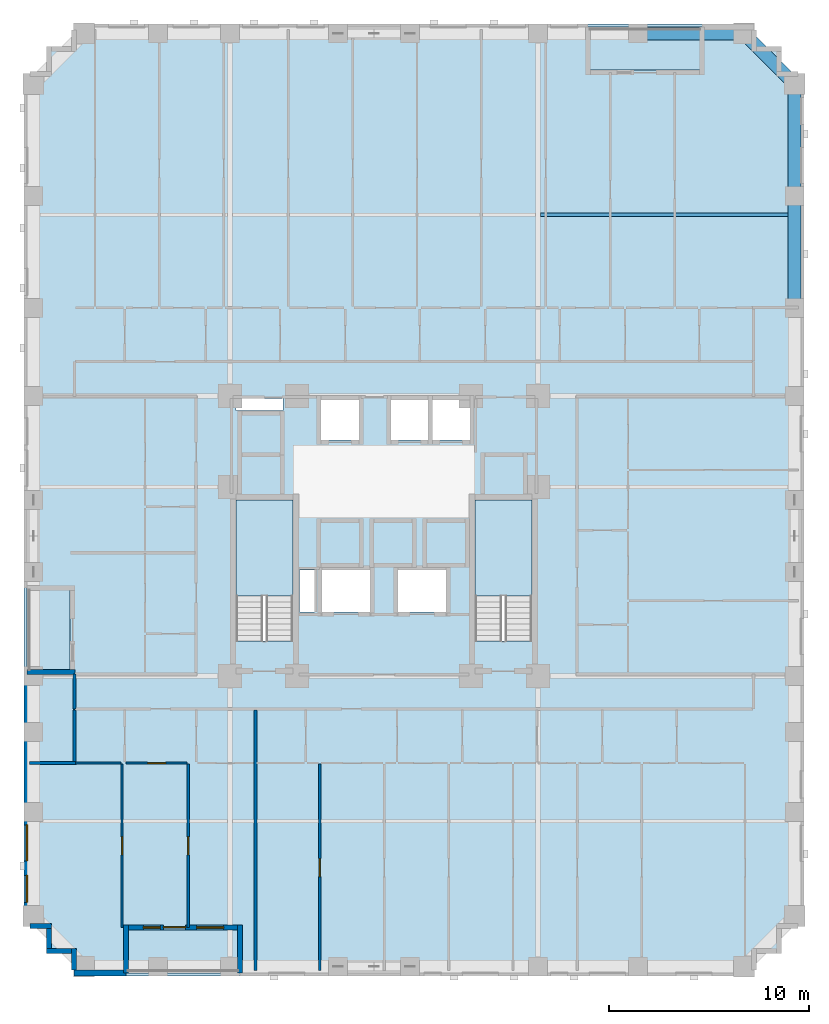
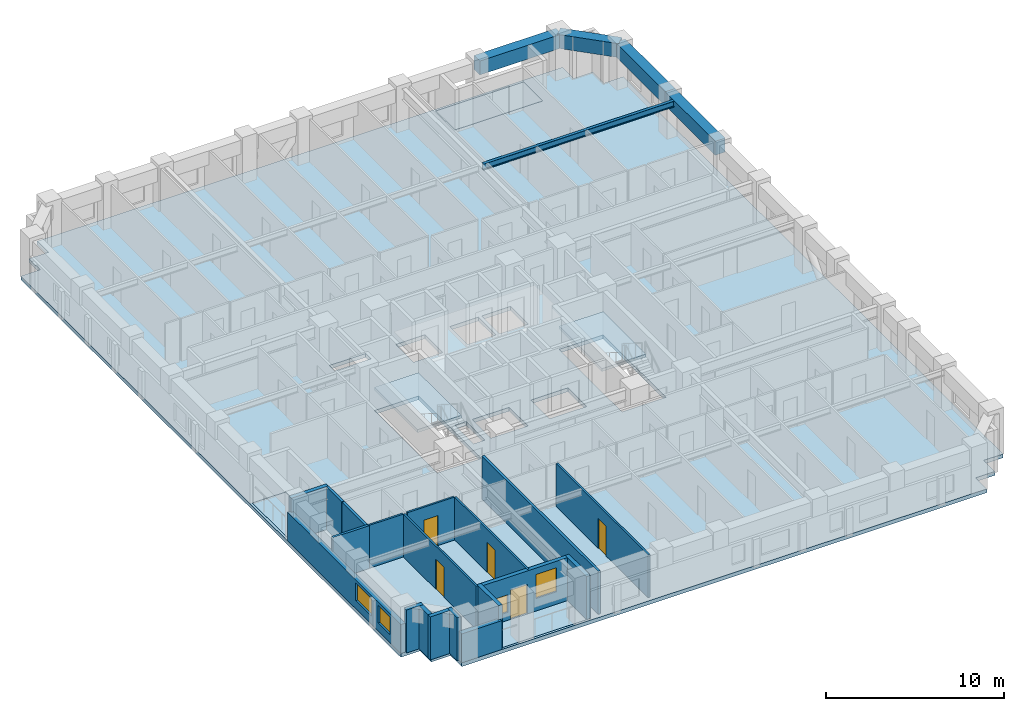
# One storey, part 2 of 14: 19 walls, 6 slabs, 5 beams, 5 doors, 4 windows, 9 openings, 2 elements without a shape of their own.
"""IFC4 building model written with IfcOpenShell, lengths in metres."""

from ifc_helpers import new_model, si_unit, derived_unit, direction, frame, frame_2d, origin, origin_2d, place, context, subcontext, project, spatial, polyline, rectangle, i_section, outline, extrude, material, layer, layer_set, material_profile, profile_set, type_object, element, fill, aggregate, save


model = new_model("IFC4")

# Units and contexts
model_context = context("Model", 3, precision=1e-05, world=origin(), true_north=direction((0.0, 1.0)))
body_context = subcontext(model_context, "Body", "Model", "MODEL_VIEW")
ifc_project = project(units=[si_unit("LENGTHUNIT", "METRE"), si_unit("AREAUNIT", "SQUARE_METRE"), si_unit("VOLUMEUNIT", "CUBIC_METRE"), si_unit("PLANEANGLEUNIT", "RADIAN"), si_unit("MASSUNIT", "GRAM", prefix="KILO"), derived_unit("THERMALTRANSMITTANCEUNIT", [(si_unit("MASSUNIT", "GRAM", prefix="KILO"), 1), (si_unit("TIMEUNIT", "SECOND"), -3), (si_unit("THERMODYNAMICTEMPERATUREUNIT", "KELVIN"), -1)])], contexts=[model_context])

# Site, building, storey
site_placement = place(None, origin())
site = spatial("IfcSite", under=ifc_project, at=site_placement, CompositionType="ELEMENT")
building_placement = place(site_placement, origin())
building = spatial("IfcBuilding", under=site, at=building_placement, Name="Korrvale Station Residences", CompositionType="ELEMENT")
storey_placement = place(building_placement, frame((0.0, 0.0, 45.0)))
storey = spatial("IfcBuildingStorey", under=building, at=storey_placement, Name="L11", CompositionType="ELEMENT", Elevation=45.0)

# Beams
ifc_material_1 = material(Name="Steel S355", Category="steel")
ifc_material_profile_1 = material_profile(ifc_material_1, i_section(OverallWidth=0.180908203125, OverallDepth=0.4169921875, WebThickness=0.010986328125, FlangeThickness=0.018310546875, FilletRadius=0.01611328125, at=origin_2d()), Name="W410x85")
ifc_profile_set_1 = profile_set([ifc_material_profile_1], Name="Steel S355")
beam_type_1 = type_object("IfcBeamType", Name="BM-JST-W410x85-S355", PredefinedType="JOIST", material=ifc_profile_set_1)
beam_1_placement = place(storey_placement, frame((33.333984375, 38.06005859375, 2.7314453125), z_axis=(1.0, 0.0, 0.0), x_axis=(0.0, 1.0, 0.0)))
element("IfcBeam", 1, at=beam_1_placement, inside=storey, type_object=beam_type_1, Name="L11 Floor Framing Joist 06", PredefinedType="JOIST", context=body_context, shape_type="SweptSolid", body=[
    extrude(i_section(OverallWidth=0.180908203125, OverallDepth=0.4169921875, WebThickness=0.010986328125, FlangeThickness=0.018310546875, FilletRadius=0.01611328125, at=origin_2d()), origin(), (0.0, 0.0, 1.0), 12.361083984375),
])
ifc_material_2 = material(Name="Concrete C70/85", Category="concrete")
ifc_material_profile_2 = material_profile(ifc_material_2, rectangle(XDim=0.64990234375, YDim=0.949951171875, at=origin_2d()), Name="RCB650x950")
ifc_profile_set_2 = profile_set([ifc_material_profile_2], Name="Concrete C70/85")
beam_type_2 = type_object("IfcBeamType", Name="BM-SPB-RCB650x950-C7085", PredefinedType="SPANDREL", material=ifc_profile_set_2)
beam_2_placement = place(storey_placement, frame((38.199951171875, 47.1201171875, 2.465087890625), z_axis=(1.0, 0.0, 0.0), x_axis=(0.0, 1.0, 0.0)))
element("IfcBeam", 2, at=beam_2_placement, inside=storey, type_object=beam_type_2, Name="L11 North Tube Spandrel 14", PredefinedType="SPANDREL", context=body_context, shape_type="SweptSolid", body=[
    extrude(rectangle(XDim=0.64990234375, YDim=0.949951171875, at=origin_2d()), origin(), (0.0, 0.0, 1.0), 5.300048828125),
])
for number, where, z_axis, x_axis, name in (
    (3, (46.02001953125, 33.39990234375, 2.465087890625), (0.0, 1.0, 0.0), (-1.0, 0.0, 0.0), "L11 East Tube Spandrel 31"),
    (4, (46.02001953125, 39.0, 2.465087890625), (0.0, 1.0, 0.0), (-1.0, 0.0, 0.0), "L11 East Tube Spandrel 32"),
):
    element("IfcBeam", number, at=place(storey_placement, frame(where, z_axis=z_axis, x_axis=x_axis)), inside=storey, type_object=beam_type_2, Name=name, PredefinedType="SPANDREL", context=body_context, shape_type="SweptSolid", body=[
        extrude(rectangle(XDim=0.64990234375, YDim=0.949951171875, at=origin_2d()), origin(), (0.0, 0.0, 1.0), 5.60009765625),
    ])
beam_3_placement = place(storey_placement, frame((43.5, 47.1201171875, 2.465087890625), z_axis=(0.707106781187, -0.707106781187, 0.0), x_axis=(0.707106781187, 0.707106781187, 0.0)))
element("IfcBeam", 5, at=beam_3_placement, inside=storey, type_object=beam_type_2, Name="L11 Serrated Corner Spandrel 35", PredefinedType="SPANDREL", context=body_context, shape_type="SweptSolid", body=[
    extrude(rectangle(XDim=0.64990234375, YDim=0.949951171875, at=origin_2d()), origin(), (0.0, 0.0, 1.0), 3.56396484375),
])

# Slabs
ifc_material_3 = material(Name="Concrete C50/60", Category="concrete")
ifc_layer_1 = layer(ifc_material_3, 0.219970703125, Name="Concrete C50/60")
ifc_layer_set_1 = layer_set([ifc_layer_1], Name="Concrete C50/60")
slab_type_1 = type_object("IfcSlabType", Name="SLB-BAL-220", PredefinedType="FLOOR", material=ifc_layer_set_1)
slab_1_placement = place(storey_placement, frame((0.0, 0.0, -0.219970703125)))
element("IfcSlab", 6, at=slab_1_placement, inside=storey, type_object=slab_type_1, Name="L11 Recessed Loggia Balcony Slab BAL-L11-S1", PredefinedType="FLOOR", context=body_context, shape_type="SweptSolid", body=[
    extrude(outline(polyline([(12.60009765625, 0.14990234375), (18.300048828125, 0.14990234375), (18.300048828125, 2.300048828125), (12.60009765625, 2.300048828125), (12.60009765625, 0.14990234375)])), origin(), (0.0, 0.0, 1.0), 0.219970703125),
])
slab_2_placement = place(storey_placement, frame((0.0, 0.0, -0.219970703125)))
element("IfcSlab", 7, at=slab_2_placement, inside=storey, type_object=slab_type_1, Name="L11 Recessed Loggia Balcony Slab BAL-L11-N1", PredefinedType="FLOOR", context=body_context, shape_type="SweptSolid", body=[
    extrude(outline(polyline([(35.699951171875, 45.300048828125), (41.39990234375, 45.300048828125), (41.39990234375, 47.449951171875), (35.699951171875, 47.449951171875), (35.699951171875, 45.300048828125)])), origin(), (0.0, 0.0, 1.0), 0.219970703125),
])
slab_3_placement = place(storey_placement, frame((0.0, 0.0, -0.219970703125)))
element("IfcSlab", 8, at=slab_3_placement, inside=storey, type_object=slab_type_1, Name="L11 Recessed Loggia Balcony Slab BAL-L11-W1", PredefinedType="FLOOR", context=body_context, shape_type="SweptSolid", body=[
    extrude(outline(polyline([(7.64990234375, 15.199951171875), (9.800048828125, 15.199951171875), (9.800048828125, 19.39990234375), (7.64990234375, 19.39990234375), (7.64990234375, 15.199951171875)])), origin(), (0.0, 0.0, 1.0), 0.219970703125),
])
ifc_layer_2 = layer(ifc_material_3, 0.260009765625, Name="Concrete C50/60")
ifc_layer_set_2 = layer_set([ifc_layer_2], Name="Concrete C50/60")
slab_type_2 = type_object("IfcSlabType", Name="SLB-FLR-260", PredefinedType="FLOOR", material=ifc_layer_set_2)
slab_4_placement = place(storey_placement, frame((0.0, 0.0, -0.260009765625)))
element("IfcSlab", 9, at=slab_4_placement, inside=storey, type_object=slab_type_2, Name="L11 Suspended Structural Floor Slab", PredefinedType="FLOOR", context=body_context, shape_type="SweptSolid", body=[
    extrude(outline(polyline([(10.0, 0.0), (44.0, 0.0), (44.0, 1.25), (45.25, 1.25), (45.25, 2.5), (46.5, 2.5), (46.5, 45.10009765625), (45.25, 45.10009765625), (45.25, 46.35009765625), (44.0, 46.35009765625), (44.0, 47.60009765625), (10.0, 47.60009765625), (10.0, 46.35009765625), (8.75, 46.35009765625), (8.75, 45.10009765625), (7.5, 45.10009765625), (7.5, 2.5), (8.75, 2.5), (8.75, 1.25), (10.0, 1.25), (10.0, 0.0)]), holes=[polyline([(20.949951171875, 16.751953125), (20.949951171875, 23.800048828125), (18.10009765625, 23.800048828125), (18.10009765625, 16.751953125), (20.949951171875, 16.751953125)]), polyline([(32.89990234375, 16.751953125), (32.89990234375, 23.800048828125), (30.050048828125, 23.800048828125), (30.050048828125, 16.751953125), (32.89990234375, 16.751953125)]), polyline([(22.35009765625, 26.800048828125), (24.25, 26.800048828125), (24.25, 28.800048828125), (22.35009765625, 28.800048828125), (22.35009765625, 26.800048828125)]), polyline([(25.85009765625, 26.800048828125), (27.7099609375, 26.800048828125), (27.7099609375, 28.800048828125), (25.85009765625, 28.800048828125), (25.85009765625, 26.800048828125)]), polyline([(27.929931640625, 26.800048828125), (29.7900390625, 26.800048828125), (29.7900390625, 28.800048828125), (27.929931640625, 28.800048828125), (27.929931640625, 26.800048828125)]), polyline([(22.39990234375, 18.199951171875), (24.800048828125, 18.199951171875), (24.800048828125, 20.300048828125), (22.39990234375, 20.300048828125), (22.39990234375, 18.199951171875)]), polyline([(26.199951171875, 18.199951171875), (28.60009765625, 18.199951171875), (28.60009765625, 20.300048828125), (26.199951171875, 20.300048828125), (26.199951171875, 18.199951171875)]), polyline([(18.10009765625, 28.280029296875), (20.449951171875, 28.280029296875), (20.449951171875, 28.8798828125), (18.10009765625, 28.8798828125), (18.10009765625, 28.280029296875)]), polyline([(21.280029296875, 18.199951171875), (22.02001953125, 18.199951171875), (22.02001953125, 20.300048828125), (21.280029296875, 20.300048828125), (21.280029296875, 18.199951171875)]), polyline([(12.60009765625, 0.14990234375), (18.300048828125, 0.14990234375), (18.300048828125, 2.300048828125), (12.60009765625, 2.300048828125), (12.60009765625, 0.14990234375)]), polyline([(35.699951171875, 45.300048828125), (41.39990234375, 45.300048828125), (41.39990234375, 47.449951171875), (35.699951171875, 47.449951171875), (35.699951171875, 45.300048828125)]), polyline([(7.64990234375, 15.199951171875), (9.800048828125, 15.199951171875), (9.800048828125, 19.39990234375), (7.64990234375, 19.39990234375), (7.64990234375, 15.199951171875)])]), origin(), (0.0, 0.0, 1.0), 0.260009765625),
])

# Stair, slab
stair_type = type_object("IfcStairType", Name="STR-DL-1350-18R-1778", PredefinedType="HALF_TURN_STAIR", material=ifc_material_3)
stair_1_placement = place(storey_placement, origin())
stair_1 = element("IfcStair", 10, at=stair_1_placement, inside=storey, type_object=stair_type, Name="L11 Exit Stair 1", PredefinedType="HALF_TURN_STAIR")
ifc_layer_3 = layer(ifc_material_3, 0.199951171875, Name="Concrete C50/60")
ifc_layer_set_3 = layer_set([ifc_layer_3], Name="Concrete C50/60")
slab_type_3 = type_object("IfcSlabType", Name="SLB-LND-200", PredefinedType="LANDING", material=ifc_layer_set_3)
slab_5_placement = place(storey_placement, frame((0.0, 0.0, 1.39990234375)))
slab_5 = element("IfcSlab", 11, at=slab_5_placement, type_object=slab_type_3, Name="ST-1 landing 1", PredefinedType="LANDING", context=body_context, shape_type="SweptSolid", body=[
    extrude(outline(polyline([(20.949951171875, 18.989990234375), (20.949951171875, 23.800048828125), (18.10009765625, 23.800048828125), (18.10009765625, 18.989990234375), (20.949951171875, 18.989990234375)])), origin(), (0.0, 0.0, 1.0), 0.2001953125),
])
aggregate(stair_1, [slab_5])

stair_2_placement = place(storey_placement, origin())
stair_2 = element("IfcStair", 12, at=stair_2_placement, inside=storey, type_object=stair_type, Name="L11 Exit Stair 2", PredefinedType="HALF_TURN_STAIR")
slab_6_placement = place(storey_placement, frame((0.0, 0.0, 1.39990234375)))
slab_6 = element("IfcSlab", 13, at=slab_6_placement, type_object=slab_type_3, Name="ST-2 landing 1", PredefinedType="LANDING", context=body_context, shape_type="SweptSolid", body=[
    extrude(outline(polyline([(32.89990234375, 18.989990234375), (32.89990234375, 23.800048828125), (30.050048828125, 23.800048828125), (30.050048828125, 18.989990234375), (32.89990234375, 18.989990234375)])), origin(), (0.0, 0.0, 1.0), 0.2001953125),
])
aggregate(stair_2, [slab_6])

# Wall
ifc_material_4 = material(Name="Precast concrete C45/55", Category="concrete")
ifc_layer_4 = layer(ifc_material_4, 0.260009765625, Name="Precast concrete C45/55")
ifc_layer_set_4 = layer_set([ifc_layer_4], Name="Precast concrete C45/55")
wall_type_1 = type_object("IfcWallType", Name="WAL-EXT-LOG260", PredefinedType="SOLIDWALL", material=ifc_layer_set_4)
wall_1_placement = place(storey_placement, frame((18.300048828125, 0.159912109375, 0.0), z_axis=(0.0, 0.0, 1.0), x_axis=(0.0, 1.0, 0.0)))
element("IfcWall", 14, at=wall_1_placement, inside=storey, type_object=wall_type_1, Name="L11 Recessed Loggia Wall BAL-L11-S1-L", PredefinedType="SOLIDWALL", context=body_context, shape_type="SweptSolid", body=[
    extrude(rectangle(XDim=2.400146484375, YDim=0.260009765625, at=frame_2d((1.2001953125, 0.0))), origin(), (0.0, 0.0, 1.0), 2.93994140625),
])

# Wall, openings, door, windows
wall_2_placement = place(storey_placement, frame((18.166015625, 2.429931640625, 0.0), z_axis=(0.0, 0.0, 1.0), x_axis=(-1.0, 0.0, 0.0)))
wall_2 = element("IfcWall", 15, at=wall_2_placement, inside=storey, type_object=wall_type_1, Name="L11 Recessed Loggia Wall BAL-L11-S1-B", PredefinedType="SOLIDWALL", context=body_context, shape_type="SweptSolid", body=[
    extrude(rectangle(XDim=5.43212890625, YDim=0.260009765625, at=frame_2d((2.716064453125, 0.0))), origin(), (0.0, 0.0, 1.0), 2.93994140625),
])
opening_1_placement = place(wall_2_placement, frame((2.591064453125, 0.0, 0.0)))
opening_1 = element("IfcOpeningElement", 16, at=opening_1_placement, cuts=wall_2, Name="Opening BD-01", PredefinedType="OPENING", context=body_context, shape_type="SweptSolid", body=[
    extrude(rectangle(XDim=1.10009765625, YDim=2.0, at=frame_2d((0.550048828125, 1.0))), frame((0.0, 0.14013671875, 0.0), z_axis=(0.0, -1.0, 0.0), x_axis=(1.0, 0.0, 0.0)), (0.0, 0.0, 1.0), 0.280029296875),
])
opening_2_placement = place(wall_2_placement, frame((3.85107421875, 0.0, 0.550048828125)))
opening_2 = element("IfcOpeningElement", 17, at=opening_2_placement, cuts=wall_2, Name="Opening W-11", PredefinedType="OPENING", context=body_context, shape_type="SweptSolid", body=[
    extrude(rectangle(XDim=0.85009765625, YDim=1.199951171875, at=frame_2d((0.425048828125, 0.60009765625))), frame((0.0, 0.14013671875, 0.0), z_axis=(0.0, -1.0, 0.0), x_axis=(1.0, 0.0, 0.0)), (0.0, 0.0, 1.0), 0.280029296875),
])
opening_3_placement = place(wall_2_placement, frame((0.68310546875, 0.0, 0.85009765625)))
opening_3 = element("IfcOpeningElement", 18, at=opening_3_placement, cuts=wall_2, Name="Opening W-06", PredefinedType="OPENING", context=body_context, shape_type="SweptSolid", body=[
    extrude(rectangle(XDim=1.35009765625, YDim=1.64990234375, at=frame_2d((0.675048828125, 0.824951171875))), frame((0.0, 0.14013671875, 0.0), z_axis=(0.0, -1.0, 0.0), x_axis=(1.0, 0.0, 0.0)), (0.0, 0.0, 1.0), 0.280029296875),
])
ifc_material_5 = material(Name="Exterior thermally broken aluminium glazed balcony door", Category="aluminium")
door_type_1 = type_object("IfcDoorType", Name="DR-EXT-BAL", OperationType="NOTDEFINED", PredefinedType="DOOR", material=ifc_material_5)
door_1_placement = place(opening_1_placement, origin())
door_1 = element("IfcDoor", 19, at=door_1_placement, inside=storey, type_object=door_type_1, Name="L11 Loggia Balcony Door BAL-L11-S1", OperationType="SINGLE_SWING_LEFT", OverallHeight=2.0, OverallWidth=1.10009765625, PredefinedType="DOOR", context=body_context, shape_type="SweptSolid", body=[
    extrude(rectangle(XDim=1.10009765625, YDim=2.0, at=frame_2d((0.550048828125, 1.0))), frame((0.0, 0.02490234375, 0.0), z_axis=(0.0, -1.0, 0.0), x_axis=(1.0, 0.0, 0.0)), (0.0, 0.0, 1.0), 0.050048828125),
])
fill(opening_1, door_1)
ifc_material_6 = material(Name="Thermally broken aluminium frame with triple low-e glazing", Category="aluminium")
window_type_1 = type_object("IfcWindowType", Name="WIN-W06", PartitioningType="SINGLE_PANEL", PredefinedType="WINDOW", material=ifc_material_6)
window_1_placement = place(opening_3_placement, origin())
window_1 = element("IfcWindow", 20, at=window_1_placement, inside=storey, type_object=window_type_1, Name="L11 Punched Window 04", OverallHeight=1.64990234375, OverallWidth=1.35009765625, PartitioningType="SINGLE_PANEL", PredefinedType="WINDOW", context=body_context, shape_type="SweptSolid", body=[
    extrude(rectangle(XDim=1.35009765625, YDim=1.64990234375, at=frame_2d((0.675048828125, 0.824951171875))), frame((0.0, 0.030029296875, 0.0), z_axis=(0.0, -1.0, 0.0), x_axis=(1.0, 0.0, 0.0)), (0.0, 0.0, 1.0), 0.06005859375),
])
fill(opening_3, window_1)
window_type_2 = type_object("IfcWindowType", Name="WIN-W11", PartitioningType="SINGLE_PANEL", PredefinedType="WINDOW", material=ifc_material_6)
window_2_placement = place(opening_2_placement, origin())
window_2 = element("IfcWindow", 21, at=window_2_placement, inside=storey, type_object=window_type_2, Name="L11 Punched Window 03", OverallHeight=1.199951171875, OverallWidth=0.85009765625, PartitioningType="SINGLE_PANEL", PredefinedType="WINDOW", context=body_context, shape_type="SweptSolid", body=[
    extrude(rectangle(XDim=0.85009765625, YDim=1.199951171875, at=frame_2d((0.425048828125, 0.60009765625))), frame((0.0, 0.030029296875, 0.0), z_axis=(0.0, -1.0, 0.0), x_axis=(1.0, 0.0, 0.0)), (0.0, 0.0, 1.0), 0.06005859375),
])
fill(opening_2, window_2)

# Walls
for number, where, z_axis, x_axis, name in (
    (22, (12.60009765625, 2.56005859375, 0.0), (0.0, 0.0, 1.0), (0.0, -1.0, 0.0), "L11 Recessed Loggia Wall BAL-L11-S1-R"),
    (23, (7.659912109375, 15.199951171875, 0.0), (0.0, 0.0, 1.0), (1.0, 0.0, 0.0), "L11 Recessed Loggia Wall BAL-L11-W1-L"),
):
    element("IfcWall", number, at=place(storey_placement, frame(where, z_axis=z_axis, x_axis=x_axis)), inside=storey, type_object=wall_type_1, Name=name, PredefinedType="SOLIDWALL", context=body_context, shape_type="SweptSolid", body=[
        extrude(rectangle(XDim=2.400146484375, YDim=0.260009765625, at=frame_2d((1.2001953125, 0.0))), origin(), (0.0, 0.0, 1.0), 2.93994140625),
    ])
wall_3_placement = place(storey_placement, frame((10.0, 0.302001953125, 0.0), z_axis=(0.0, 0.0, 1.0), x_axis=(0.0, 1.0, 0.0)))
element("IfcWall", 24, at=wall_3_placement, inside=storey, type_object=wall_type_1, Name="L11 Serrated Corner Precast Step SW-1", PredefinedType="SOLIDWALL", context=body_context, shape_type="SweptSolid", body=[
    extrude(rectangle(XDim=1.077880859375, YDim=0.260009765625, at=frame_2d((0.5390625, 0.0))), origin(), (0.0, 0.0, 1.0), 2.93994140625),
])
wall_4_placement = place(storey_placement, frame((9.867919921875, 1.25, 0.0), z_axis=(0.0, 0.0, 1.0), x_axis=(-1.0, 0.0, 0.0)))
element("IfcWall", 25, at=wall_4_placement, inside=storey, type_object=wall_type_1, Name="L11 Serrated Corner Precast Step SW-2", PredefinedType="SOLIDWALL", context=body_context, shape_type="SweptSolid", body=[
    extrude(rectangle(XDim=1.247802734375, YDim=0.260009765625, at=frame_2d((0.6240234375, 0.0))), origin(), (0.0, 0.0, 1.0), 2.93994140625),
])
wall_5_placement = place(storey_placement, frame((8.75, 1.382080078125, 0.0), z_axis=(0.0, 0.0, 1.0), x_axis=(0.0, 1.0, 0.0)))
element("IfcWall", 26, at=wall_5_placement, inside=storey, type_object=wall_type_1, Name="L11 Serrated Corner Precast Step SW-3", PredefinedType="SOLIDWALL", context=body_context, shape_type="SweptSolid", body=[
    extrude(rectangle(XDim=0.98583984375, YDim=0.260009765625, at=frame_2d((0.492919921875, 0.0))), origin(), (0.0, 0.0, 1.0), 2.93994140625),
])
wall_6_placement = place(storey_placement, frame((8.8798828125, 2.5, 0.0), z_axis=(0.0, 0.0, 1.0), x_axis=(-1.0, 0.0, 0.0)))
element("IfcWall", 27, at=wall_6_placement, inside=storey, type_object=wall_type_1, Name="L11 Serrated Corner Precast Step SW-4", PredefinedType="SOLIDWALL", context=body_context, shape_type="SweptSolid", body=[
    extrude(rectangle(XDim=1.077880859375, YDim=0.260009765625, at=frame_2d((0.5390625, 0.0))), origin(), (0.0, 0.0, 1.0), 2.93994140625),
])
ifc_layer_5 = layer(ifc_material_4, 0.300048828125, Name="Precast concrete C45/55")
ifc_layer_set_5 = layer_set([ifc_layer_5], Name="Precast concrete C45/55")
wall_type_2 = type_object("IfcWallType", Name="WAL-EXT-PC300", PredefinedType="SOLIDWALL", material=ifc_layer_set_5)
wall_7_placement = place(storey_placement, frame((12.60009765625, 0.14990234375, 0.0), z_axis=(0.0, 0.0, 1.0), x_axis=(-1.0, 0.0, 0.0)))
element("IfcWall", 28, at=wall_7_placement, inside=storey, type_object=wall_type_2, Name="L11 South Exterior Precast Wall 2", PredefinedType="SOLIDWALL", context=body_context, shape_type="SweptSolid", body=[
    extrude(rectangle(XDim=2.60009765625, YDim=0.300048828125, at=frame_2d((1.300048828125, 0.0))), origin(), (0.0, 0.0, 1.0), 1.97509765625),
])

# Wall, openings, windows
wall_8_placement = place(storey_placement, frame((7.64990234375, 2.5, 0.0), z_axis=(0.0, 0.0, 1.0), x_axis=(0.0, 1.0, 0.0)))
wall_8 = element("IfcWall", 29, at=wall_8_placement, inside=storey, type_object=wall_type_2, Name="L11 West Exterior Precast Wall 1", PredefinedType="SOLIDWALL", context=body_context, shape_type="SweptSolid", body=[
    extrude(rectangle(XDim=12.699951171875, YDim=0.300048828125, at=frame_2d((6.35009765625, 0.0))), origin(), (0.0, 0.0, 1.0), 1.97509765625),
])
opening_4_placement = place(wall_8_placement, frame((3.257080078125, 0.0, 0.550048828125)))
opening_4 = element("IfcOpeningElement", 30, at=opening_4_placement, cuts=wall_8, Name="Opening W-09", PredefinedType="OPENING", context=body_context, shape_type="SweptSolid", body=[
    extrude(rectangle(XDim=1.800048828125, YDim=1.199951171875, at=frame_2d((0.89990234375, 0.60009765625))), frame((0.0, 0.16015625, 0.0), z_axis=(0.0, -1.0, 0.0), x_axis=(1.0, 0.0, 0.0)), (0.0, 0.0, 1.0), 0.320068359375),
])
opening_5_placement = place(wall_8_placement, frame((1.18505859375, 0.0, 0.550048828125)))
opening_5 = element("IfcOpeningElement", 31, at=opening_5_placement, cuts=wall_8, Name="Opening W-10", PredefinedType="OPENING", context=body_context, shape_type="SweptSolid", body=[
    extrude(rectangle(XDim=1.35009765625, YDim=1.199951171875, at=frame_2d((0.675048828125, 0.60009765625))), frame((0.0, 0.16015625, 0.0), z_axis=(0.0, -1.0, 0.0), x_axis=(1.0, 0.0, 0.0)), (0.0, 0.0, 1.0), 0.320068359375),
])
window_type_3 = type_object("IfcWindowType", Name="WIN-W09", PartitioningType="DOUBLE_PANEL_VERTICAL", PredefinedType="WINDOW", material=ifc_material_6)
window_3_placement = place(opening_4_placement, origin())
window_3 = element("IfcWindow", 32, at=window_3_placement, inside=storey, type_object=window_type_3, Name="L11 Punched Window 01", OverallHeight=1.199951171875, OverallWidth=1.800048828125, PartitioningType="DOUBLE_PANEL_VERTICAL", PredefinedType="WINDOW", context=body_context, shape_type="SweptSolid", body=[
    extrude(rectangle(XDim=1.800048828125, YDim=1.199951171875, at=frame_2d((0.89990234375, 0.60009765625))), frame((0.0, 0.030029296875, 0.0), z_axis=(0.0, -1.0, 0.0), x_axis=(1.0, 0.0, 0.0)), (0.0, 0.0, 1.0), 0.06005859375),
])
fill(opening_4, window_3)
window_type_4 = type_object("IfcWindowType", Name="WIN-W10", PartitioningType="SINGLE_PANEL", PredefinedType="WINDOW", material=ifc_material_6)
window_4_placement = place(opening_5_placement, origin())
window_4 = element("IfcWindow", 33, at=window_4_placement, inside=storey, type_object=window_type_4, Name="L11 Punched Window 02", OverallHeight=1.199951171875, OverallWidth=1.35009765625, PartitioningType="SINGLE_PANEL", PredefinedType="WINDOW", context=body_context, shape_type="SweptSolid", body=[
    extrude(rectangle(XDim=1.35009765625, YDim=1.199951171875, at=frame_2d((0.675048828125, 0.60009765625))), frame((0.0, 0.030029296875, 0.0), z_axis=(0.0, -1.0, 0.0), x_axis=(1.0, 0.0, 0.0)), (0.0, 0.0, 1.0), 0.06005859375),
])
fill(opening_5, window_4)

# Wall
ifc_material_7 = material(Name="Acoustic steel-stud gypsum board partition", Category="steel")
ifc_layer_6 = layer(ifc_material_7, 0.1201171875, Name="Acoustic steel-stud gypsum board partition")
ifc_layer_set_6 = layer_set([ifc_layer_6], Name="Acoustic steel-stud gypsum board partition")
wall_type_3 = type_object("IfcWallType", Name="WAL-PART-125", PredefinedType="PARTITIONING", material=ifc_layer_set_6)
wall_9_placement = place(storey_placement, frame((10.080078125, 10.64990234375, 0.0), z_axis=(0.0, 0.0, 1.0), x_axis=(1.0, 0.0, 0.0)))
element("IfcWall", 34, at=wall_9_placement, inside=storey, type_object=wall_type_3, Name="L11 Suite Partition U01-H03", PredefinedType="PARTITIONING", context=body_context, shape_type="SweptSolid", body=[
    extrude(rectangle(XDim=2.260009765625, YDim=0.1201171875, at=frame_2d((1.1298828125, 0.0))), origin(), (0.0, 0.0, 1.0), 2.93994140625),
])

# Wall, opening, door
wall_10_placement = place(storey_placement, frame((12.60009765625, 10.64990234375, 0.0), z_axis=(0.0, 0.0, 1.0), x_axis=(1.0, 0.0, 0.0)))
wall_10 = element("IfcWall", 35, at=wall_10_placement, inside=storey, type_object=wall_type_3, Name="L11 Suite Partition U01-H14", PredefinedType="PARTITIONING", context=body_context, shape_type="SweptSolid", body=[
    extrude(rectangle(XDim=3.054931640625, YDim=0.1201171875, at=frame_2d((1.52734375, 0.0))), origin(), (0.0, 0.0, 1.0), 2.93994140625),
])
opening_6_placement = place(wall_10_placement, frame((1.076904296875, 0.0, 0.0)))
opening_6 = element("IfcOpeningElement", 36, at=opening_6_placement, cuts=wall_10, Name="Opening DI-900", PredefinedType="OPENING", context=body_context, shape_type="SweptSolid", body=[
    extrude(rectangle(XDim=0.89990234375, YDim=2.050048828125, at=frame_2d((0.449951171875, 1.02490234375))), frame((0.0, 0.070068359375, 0.0), z_axis=(0.0, -1.0, 0.0), x_axis=(1.0, 0.0, 0.0)), (0.0, 0.0, 1.0), 0.14013671875),
])
ifc_material_8 = material(Name="Painted solid-core timber interior room door", Category="wood")
door_type_2 = type_object("IfcDoorType", Name="DR-INT-900", OperationType="NOTDEFINED", PredefinedType="DOOR", material=ifc_material_8)
door_2_placement = place(opening_6_placement, origin())
door_2 = element("IfcDoor", 37, at=door_2_placement, inside=storey, type_object=door_type_2, Name="L11 Apartment 2BR L11-U01 Kitchen Door", OperationType="SINGLE_SWING_LEFT", OverallHeight=2.050048828125, OverallWidth=0.89990234375, PredefinedType="DOOR", context=body_context, shape_type="SweptSolid", body=[
    extrude(rectangle(XDim=0.89990234375, YDim=2.050048828125, at=frame_2d((0.449951171875, 1.02490234375))), frame((0.0, 0.02490234375, 0.0), z_axis=(0.0, -1.0, 0.0), x_axis=(1.0, 0.0, 0.0)), (0.0, 0.0, 1.0), 0.050048828125),
])
fill(opening_6, door_2)

wall_11_placement = place(storey_placement, frame((12.39990234375, 2.429931640625, 0.0), z_axis=(0.0, 0.0, 1.0), x_axis=(0.0, 1.0, 0.0)))
wall_11 = element("IfcWall", 38, at=wall_11_placement, inside=storey, type_object=wall_type_3, Name="L11 Suite Partition U01-V34", PredefinedType="PARTITIONING", context=body_context, shape_type="SweptSolid", body=[
    extrude(rectangle(XDim=8.16015625, YDim=0.1201171875, at=frame_2d((4.080078125, 0.0))), origin(), (0.0, 0.0, 1.0), 2.93994140625),
])
opening_7_placement = place(wall_11_placement, frame((3.6298828125, 0.0, 0.0)))
opening_7 = element("IfcOpeningElement", 39, at=opening_7_placement, cuts=wall_11, Name="Opening DI-900", PredefinedType="OPENING", context=body_context, shape_type="SweptSolid", body=[
    extrude(rectangle(XDim=0.89990234375, YDim=2.050048828125, at=frame_2d((0.449951171875, 1.02490234375))), frame((0.0, 0.070068359375, 0.0), z_axis=(0.0, -1.0, 0.0), x_axis=(1.0, 0.0, 0.0)), (0.0, 0.0, 1.0), 0.14013671875),
])
door_3_placement = place(opening_7_placement, origin())
door_3 = element("IfcDoor", 40, at=door_3_placement, inside=storey, type_object=door_type_2, Name="L11 Apartment 2BR L11-U01 Living and Dining Room Door", OperationType="SINGLE_SWING_LEFT", OverallHeight=2.050048828125, OverallWidth=0.89990234375, PredefinedType="DOOR", context=body_context, shape_type="SweptSolid", body=[
    extrude(rectangle(XDim=0.89990234375, YDim=2.050048828125, at=frame_2d((0.449951171875, 1.02490234375))), frame((0.0, 0.02490234375, 0.0), z_axis=(0.0, -1.0, 0.0), x_axis=(1.0, 0.0, 0.0)), (0.0, 0.0, 1.0), 0.050048828125),
])
fill(opening_7, door_3)

wall_12_placement = place(storey_placement, frame((15.715087890625, 2.429931640625, 0.0), z_axis=(0.0, 0.0, 1.0), x_axis=(0.0, 1.0, 0.0)))
wall_12 = element("IfcWall", 41, at=wall_12_placement, inside=storey, type_object=wall_type_3, Name="L11 Suite Partition U01-V45", PredefinedType="PARTITIONING", context=body_context, shape_type="SweptSolid", body=[
    extrude(rectangle(XDim=8.16015625, YDim=0.1201171875, at=frame_2d((4.080078125, 0.0))), origin(), (0.0, 0.0, 1.0), 2.93994140625),
])
opening_8_placement = place(wall_12_placement, frame((3.6298828125, 0.0, 0.0)))
opening_8 = element("IfcOpeningElement", 42, at=opening_8_placement, cuts=wall_12, Name="Opening DI-900", PredefinedType="OPENING", context=body_context, shape_type="SweptSolid", body=[
    extrude(rectangle(XDim=0.89990234375, YDim=2.050048828125, at=frame_2d((0.449951171875, 1.02490234375))), frame((0.0, 0.070068359375, 0.0), z_axis=(0.0, -1.0, 0.0), x_axis=(1.0, 0.0, 0.0)), (0.0, 0.0, 1.0), 0.14013671875),
])
door_4_placement = place(opening_8_placement, origin())
door_4 = element("IfcDoor", 43, at=door_4_placement, inside=storey, type_object=door_type_2, Name="L11 Apartment 2BR L11-U01 Bedroom 1 Door", OperationType="SINGLE_SWING_RIGHT", OverallHeight=2.050048828125, OverallWidth=0.89990234375, PredefinedType="DOOR", context=body_context, shape_type="SweptSolid", body=[
    extrude(rectangle(XDim=0.89990234375, YDim=2.050048828125, at=frame_2d((0.449951171875, 1.02490234375))), frame((0.0, 0.02490234375, 0.0), z_axis=(0.0, -1.0, 0.0), x_axis=(1.0, 0.0, 0.0)), (0.0, 0.0, 1.0), 0.050048828125),
])
fill(opening_8, door_4)

wall_13_placement = place(storey_placement, frame((22.2900390625, 0.280029296875, 0.0), z_axis=(0.0, 0.0, 1.0), x_axis=(0.0, 1.0, 0.0)))
wall_13 = element("IfcWall", 44, at=wall_13_placement, inside=storey, type_object=wall_type_3, Name="L11 Suite Partition U02-V78", PredefinedType="PARTITIONING", context=body_context, shape_type="SweptSolid", body=[
    extrude(rectangle(XDim=10.31005859375, YDim=0.1201171875, at=frame_2d((5.155029296875, 0.0))), origin(), (0.0, 0.0, 1.0), 2.93994140625),
])
opening_9_placement = place(wall_13_placement, frame((4.68994140625, 0.0, 0.0)))
opening_9 = element("IfcOpeningElement", 45, at=opening_9_placement, cuts=wall_13, Name="Opening DI-900", PredefinedType="OPENING", context=body_context, shape_type="SweptSolid", body=[
    extrude(rectangle(XDim=0.89990234375, YDim=2.050048828125, at=frame_2d((0.449951171875, 1.02490234375))), frame((0.0, 0.070068359375, 0.0), z_axis=(0.0, -1.0, 0.0), x_axis=(1.0, 0.0, 0.0)), (0.0, 0.0, 1.0), 0.14013671875),
])
door_5_placement = place(opening_9_placement, origin())
door_5 = element("IfcDoor", 46, at=door_5_placement, inside=storey, type_object=door_type_2, Name="L11 Studio Apartment L11-U02 Formal Dining Room Door", OperationType="SINGLE_SWING_LEFT", OverallHeight=2.050048828125, OverallWidth=0.89990234375, PredefinedType="DOOR", context=body_context, shape_type="SweptSolid", body=[
    extrude(rectangle(XDim=0.89990234375, YDim=2.050048828125, at=frame_2d((0.449951171875, 1.02490234375))), frame((0.0, 0.02490234375, 0.0), z_axis=(0.0, -1.0, 0.0), x_axis=(1.0, 0.0, 0.0)), (0.0, 0.0, 1.0), 0.050048828125),
])
fill(opening_9, door_5)

# Walls
ifc_material_9 = material(Name="Fire-rated twin-stud gypsum and mineral wool shaftwall assembly", Category="gypsum")
ifc_layer_7 = layer(ifc_material_9, 0.159912109375, Name="Fire-rated twin-stud gypsum and mineral wool shaftwall assembly")
ifc_layer_set_7 = layer_set([ifc_layer_7], Name="Fire-rated twin-stud gypsum and mineral wool shaftwall assembly")
wall_type_4 = type_object("IfcWallType", Name="WAL-PART-200", PredefinedType="PARTITIONING", material=ifc_layer_set_7)
wall_14_placement = place(storey_placement, frame((10.02001953125, 13.35009765625, 0.0), z_axis=(0.0, 0.0, 1.0), x_axis=(0.0, 1.0, 0.0)))
element("IfcWall", 47, at=wall_14_placement, inside=storey, type_object=wall_type_4, Name="L11 Corridor South West Cap", PredefinedType="PARTITIONING", context=body_context, shape_type="SweptSolid", body=[
    extrude(rectangle(XDim=1.739990234375, YDim=0.159912109375, at=frame_2d((0.8701171875, 0.0))), origin(), (0.0, 0.0, 1.0), 2.93994140625),
])
wall_15_placement = place(storey_placement, frame((7.780029296875, 10.64990234375, 0.0), z_axis=(0.0, 0.0, 1.0), x_axis=(1.0, 0.0, 0.0)))
element("IfcWall", 48, at=wall_15_placement, inside=storey, type_object=wall_type_4, Name="L11 Corner Step Wall U01-L", PredefinedType="PARTITIONING", context=body_context, shape_type="SweptSolid", body=[
    extrude(rectangle(XDim=2.340087890625, YDim=0.159912109375, at=frame_2d((1.169921875, 0.0))), origin(), (0.0, 0.0, 1.0), 2.93994140625),
])
wall_16_placement = place(storey_placement, frame((10.02001953125, 10.64990234375, 0.0), z_axis=(0.0, 0.0, 1.0), x_axis=(0.0, 1.0, 0.0)))
element("IfcWall", 49, at=wall_16_placement, inside=storey, type_object=wall_type_4, Name="L11 Corner Step Cheek U01-L", PredefinedType="PARTITIONING", context=body_context, shape_type="SweptSolid", body=[
    extrude(rectangle(XDim=2.66015625, YDim=0.159912109375, at=frame_2d((1.330078125, 0.0))), origin(), (0.0, 0.0, 1.0), 2.93994140625),
])
wall_17_placement = place(storey_placement, frame((19.070068359375, 0.280029296875, 0.0), z_axis=(0.0, 0.0, 1.0), x_axis=(0.0, 1.0, 0.0)))
element("IfcWall", 50, at=wall_17_placement, inside=storey, type_object=wall_type_4, Name="L11 Demising Wall U02-W", PredefinedType="PARTITIONING", context=body_context, shape_type="SweptSolid", body=[
    extrude(rectangle(XDim=13.030029296875, YDim=0.159912109375, at=frame_2d((6.51513671875, 0.0))), origin(), (0.0, 0.0, 1.0), 2.93994140625),
])

save(model, "model.ifc")
